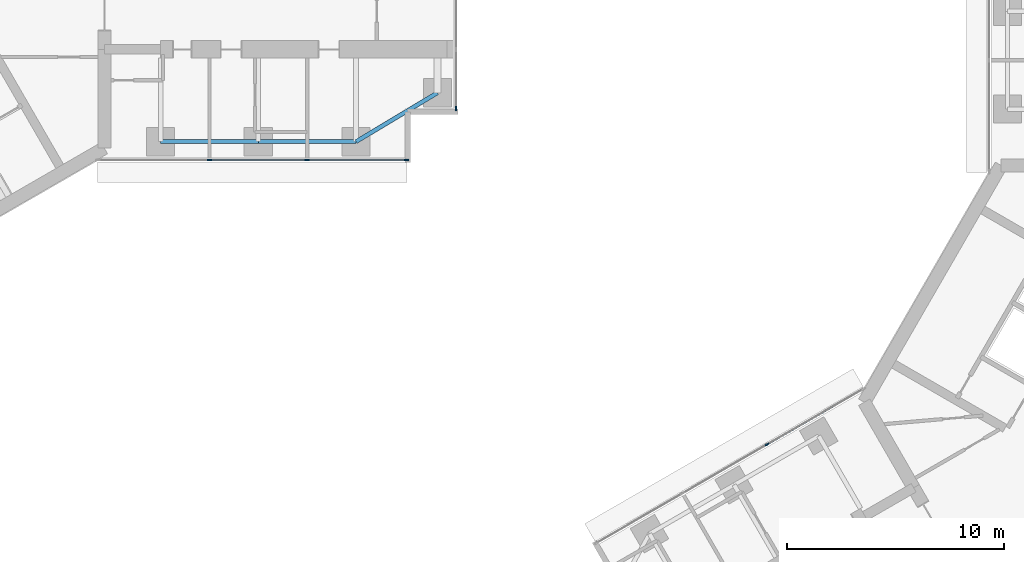
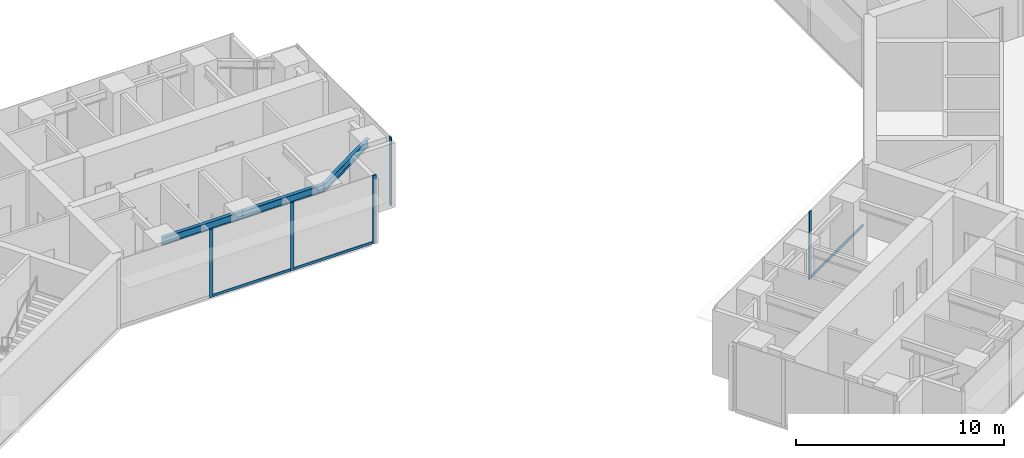
# One storey, part 4 of 22: 8 members, 3 beams, 3 elements without a shape of their own.
"""IFC4 building model written with IfcOpenShell, lengths in metres."""

from ifc_helpers import new_model, si_unit, direction, frame, origin, origin_2d, place, context, subcontext, project, spatial, rectangle, i_section, extrude, material, material_profile, profile_set, type_object, element, aggregate, save


model = new_model("IFC4")

# Units and contexts
model_context = context("Model", 3, precision=1e-05, world=origin(), true_north=direction((0.0, 1.0)))
body_context = subcontext(model_context, "Body", "Model", "MODEL_VIEW")
ifc_project = project(units=[si_unit("LENGTHUNIT", "METRE"), si_unit("AREAUNIT", "SQUARE_METRE"), si_unit("VOLUMEUNIT", "CUBIC_METRE"), si_unit("PLANEANGLEUNIT", "RADIAN"), si_unit("MASSUNIT", "GRAM", prefix="KILO")], contexts=[model_context])

# Site, building, storey
site_placement = place(None, origin())
site = spatial("IfcSite", under=ifc_project, at=site_placement, CompositionType="ELEMENT")
building_placement = place(site_placement, origin())
building = spatial("IfcBuilding", under=site, at=building_placement, Name="Upepo Twin Towers", CompositionType="ELEMENT")
storey_placement = place(building_placement, frame((0.0, 0.0, 133.5)))
storey = spatial("IfcBuildingStorey", under=building, at=storey_placement, Name="L32", CompositionType="ELEMENT", Elevation=133.5)

# Beams
ifc_material_1 = material(Name="Steel S355", Category="steel")
ifc_material_profile_1 = material_profile(ifc_material_1, i_section(OverallWidth=0.1904296875, OverallDepth=0.45703125, WebThickness=0.009033203125, FlangeThickness=0.014404296875, FilletRadius=0.01025390625, at=origin_2d()), Name="UB 457x191x74")
ifc_profile_set_1 = profile_set([ifc_material_profile_1], Name="Steel S355")
beam_type = type_object("IfcBeamType", Name="Beam UB 457x191x74", PredefinedType="BEAM", material=ifc_profile_set_1)
for number, where, z_axis, x_axis, name in (
    (1, (13.5, -6.0, 3.571533203125), (1.0, 0.0, 0.0), (0.0, 1.0, 0.0), "T1 edge beam AR 13.5-18.0"),
    (2, (18.0, -6.0, 3.571533203125), (1.0, 0.0, 0.0), (0.0, 1.0, 0.0), "T1 edge beam AR 18.0-22.5"),
):
    element("IfcBeam", number, at=place(storey_placement, frame(where, z_axis=z_axis, x_axis=x_axis)), inside=storey, type_object=beam_type, Name=name, PredefinedType="BEAM", context=body_context, shape_type="SweptSolid", body=[
        extrude(i_section(OverallWidth=0.1904296875, OverallDepth=0.45703125, WebThickness=0.009033203125, FlangeThickness=0.014404296875, FilletRadius=0.01025390625, at=origin_2d()), origin(), (0.0, 0.0, 1.0), 4.5),
    ])
beam_placement = place(storey_placement, frame((22.5, -6.0, 3.571533203125), z_axis=(0.857492925713, 0.514495755428, 0.0), x_axis=(-0.514495755428, 0.857492925713, 0.0)))
element("IfcBeam", 3, at=beam_placement, inside=storey, type_object=beam_type, Name="T1 nose edge beam AR", PredefinedType="BEAM", context=body_context, shape_type="SweptSolid", body=[
    extrude(i_section(OverallWidth=0.1904296875, OverallDepth=0.45703125, WebThickness=0.009033203125, FlangeThickness=0.014404296875, FilletRadius=0.01025390625, at=origin_2d()), origin(), (0.0, 0.0, 1.0), 4.373291015625),
])

# Curtain wall, members
ifc_material_2 = material(Name="Aluminium and fritted glass", Category="aluminium")
curtain_wall_type = type_object("IfcCurtainWallType", Name="Tower curtain wall TW2, fritted glass", PredefinedType="NOTDEFINED", material=ifc_material_2)
curtain_wall_1_placement = place(storey_placement, origin())
curtain_wall_1 = element("IfcCurtainWall", 4, at=curtain_wall_1_placement, inside=storey, type_object=curtain_wall_type, Name="T1 L32 wing A flank R curtain wall", PredefinedType="NOTDEFINED")
ifc_material_3 = material(Name="Aluminium mullion", Category="aluminium")
ifc_material_profile_2 = material_profile(ifc_material_3, rectangle(XDim=0.06494140625, YDim=0.199951171875, at=origin_2d()), Name="MULLION 65x200")
ifc_profile_set_2 = profile_set([ifc_material_profile_2], Name="Aluminium mullion")
member_type_1 = type_object("IfcMemberType", Name="Mullion 65x200 TW2", PredefinedType="MULLION", material=ifc_profile_set_2)
member_1_placement = place(storey_placement, frame((24.8173828125, -6.85009765625, 0.0), z_axis=(0.0, 0.0, 1.0), x_axis=(0.0, -1.0, 0.0)))
member_1 = element("IfcMember", 5, at=member_1_placement, type_object=member_type_1, Name="T1 L32 wing A flank R curtain wall mullion 1", PredefinedType="MULLION", context=body_context, shape_type="SweptSolid", body=[
    extrude(rectangle(XDim=0.06494140625, YDim=0.199951171875, at=origin_2d()), origin(), (0.0, 0.0, 1.0), 4.0),
])
member_2_placement = place(storey_placement, frame((20.25, -6.85009765625, 0.0), z_axis=(0.0, 0.0, 1.0), x_axis=(0.0, -1.0, 0.0)))
member_2 = element("IfcMember", 6, at=member_2_placement, type_object=member_type_1, Name="T1 L32 wing A flank R curtain wall mullion 2", PredefinedType="MULLION", context=body_context, shape_type="SweptSolid", body=[
    extrude(rectangle(XDim=0.06494140625, YDim=0.199951171875, at=origin_2d()), origin(), (0.0, 0.0, 1.0), 4.0),
])
member_3_placement = place(storey_placement, frame((15.75, -6.85009765625, 0.0), z_axis=(0.0, 0.0, 1.0), x_axis=(0.0, -1.0, 0.0)))
member_3 = element("IfcMember", 7, at=member_3_placement, type_object=member_type_1, Name="T1 L32 wing A flank R curtain wall mullion 3", PredefinedType="MULLION", context=body_context, shape_type="SweptSolid", body=[
    extrude(rectangle(XDim=0.06494140625, YDim=0.199951171875, at=origin_2d()), origin(), (0.0, 0.0, 1.0), 4.0),
])

# Curtain wall, member
curtain_wall_2_placement = place(storey_placement, origin())
curtain_wall_2 = element("IfcCurtainWall", 8, at=curtain_wall_2_placement, inside=storey, type_object=curtain_wall_type, Name="T1 L32 wing A nose curtain wall", PredefinedType="NOTDEFINED")
member_4_placement = place(storey_placement, frame((27.10009765625, -4.467529296875, 0.0), z_axis=(0.0, 0.0, 1.0), x_axis=(-1.0, 0.0, 0.0)))
member_4 = element("IfcMember", 9, at=member_4_placement, type_object=member_type_1, Name="T1 L32 wing A nose curtain wall mullion 1", PredefinedType="MULLION", context=body_context, shape_type="SweptSolid", body=[
    extrude(rectangle(XDim=0.06494140625, YDim=0.199951171875, at=origin_2d()), origin(), (0.0, 0.0, 1.0), 4.0),
])
aggregate(curtain_wall_2, [member_4])

curtain_wall_3_placement = place(storey_placement, origin())
curtain_wall_3 = element("IfcCurtainWall", 10, at=curtain_wall_3_placement, inside=storey, type_object=curtain_wall_type, Name="T2 L32 wing B flank R curtain wall", PredefinedType="NOTDEFINED")
member_5_placement = place(storey_placement, frame((41.43505859375, -19.942626953125, 0.0), z_axis=(0.0, 0.0, 1.0), x_axis=(-0.500000010308, 0.866025397833, 0.0)))
member_5 = element("IfcMember", 11, at=member_5_placement, type_object=member_type_1, Name="T2 L32 wing B flank R curtain wall mullion 3", PredefinedType="MULLION", context=body_context, shape_type="SweptSolid", body=[
    extrude(rectangle(XDim=0.06494140625, YDim=0.199951171875, at=origin_2d()), origin(), (0.0, 0.0, 1.0), 4.0),
])

# Member
ifc_material_4 = material(Name="Aluminium transom", Category="aluminium")
ifc_material_profile_3 = material_profile(ifc_material_4, rectangle(XDim=0.06494140625, YDim=0.14990234375, at=origin_2d()), Name="TRANSOM 65x150")
ifc_profile_set_3 = profile_set([ifc_material_profile_3], Name="Aluminium transom")
member_type_2 = type_object("IfcMemberType", Name="Transom 65x150 TW2", PredefinedType="USERDEFINED", material=ifc_profile_set_3)
member_6_placement = place(storey_placement, frame((24.784912109375, -6.85009765625, 0.074951171875), z_axis=(-1.0, 0.0, 0.0), x_axis=(0.0, -1.0, 0.0)))
member_6 = element("IfcMember", 12, at=member_6_placement, type_object=member_type_2, Name="T1 L32 wing A flank R curtain wall transom 1", ObjectType="TRANSOM", PredefinedType="USERDEFINED", context=body_context, shape_type="SweptSolid", body=[
    extrude(rectangle(XDim=0.06494140625, YDim=0.14990234375, at=origin_2d()), origin(), (0.0, 0.0, 1.0), 4.50244140625),
])

member_7_placement = place(storey_placement, frame((20.217529296875, -6.85009765625, 0.074951171875), z_axis=(-1.0, 0.0, 0.0), x_axis=(0.0, -1.0, 0.0)))
member_7 = element("IfcMember", 13, at=member_7_placement, type_object=member_type_2, Name="T1 L32 wing A flank R curtain wall transom 2", ObjectType="TRANSOM", PredefinedType="USERDEFINED", context=body_context, shape_type="SweptSolid", body=[
    extrude(rectangle(XDim=0.06494140625, YDim=0.14990234375, at=origin_2d()), origin(), (0.0, 0.0, 1.0), 4.43505859375),
])

aggregate(curtain_wall_1, [member_1, member_2, member_3, member_6, member_7])

member_8_placement = place(storey_placement, frame((41.463134765625, -19.926513671875, 0.074951171875), z_axis=(0.866033897268, 0.499985288567, 0.0), x_axis=(-0.499985288567, 0.866033897268, 0.0)))
member_8 = element("IfcMember", 14, at=member_8_placement, type_object=member_type_2, Name="T2 L32 wing B flank R curtain wall transom 3", ObjectType="TRANSOM", PredefinedType="USERDEFINED", context=body_context, shape_type="SweptSolid", body=[
    extrude(rectangle(XDim=0.06494140625, YDim=0.14990234375, at=origin_2d()), origin(), (0.0, 0.0, 1.0), 5.065673828125),
])

aggregate(curtain_wall_3, [member_5, member_8])

save(model, "model.ifc")
